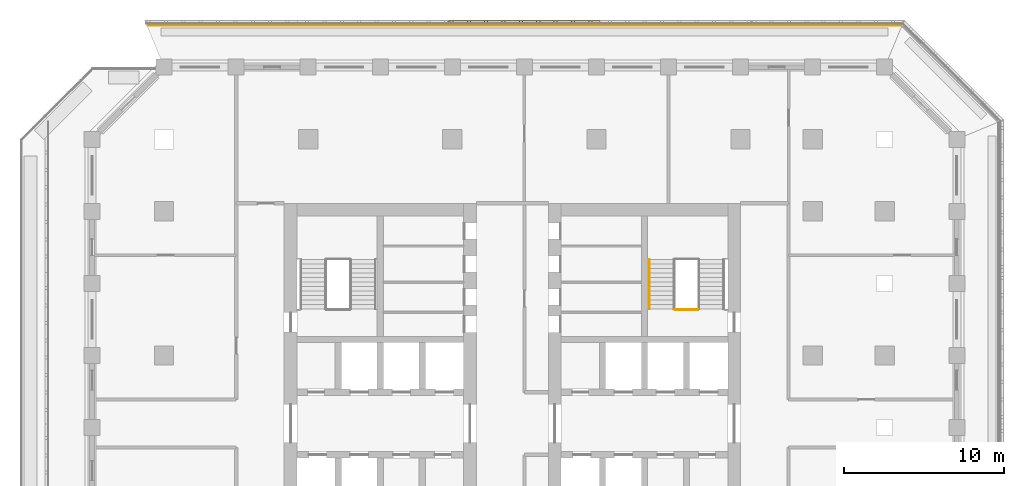
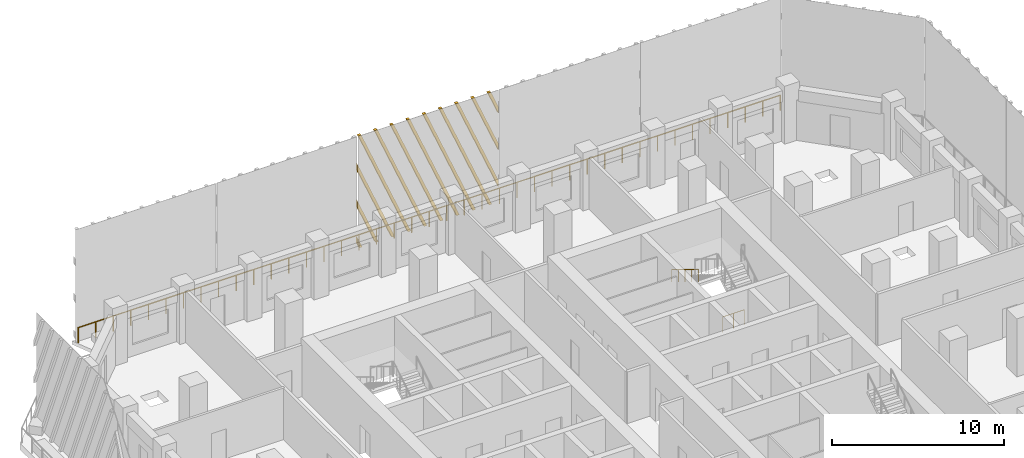
# One storey, part 14 of 16: 3 railings, 1 shading device.
"""IFC4 building model written with IfcOpenShell, lengths in metres."""

import ifcopenshell
import ifcopenshell.guid

model = None  # the IFC model being written
_history = None  # IfcOwnerHistory: only IFC2X3 demands one
_inside = {}  # id of a spatial element -> (the spatial element, [elements in it])
_under = {}  # id of a project, library or spatial element -> (it, [spatial elements below it])
_declared = {}  # id of a project -> (the project, [libraries it declares])
_typed = {}  # id of a type object -> (the type object, [elements of that type])
_made_of = {}  # id of a material, layer set ... -> (it, [elements and type objects made of it])


def new_model(schema):
    """Start an empty IFC model of exactly this schema.

    Asked for "IFC4X3", IfcOpenShell would pick the latest addendum, in which some entities
    have other attributes; the version numbers below select the first issue.
    IFC2X3 requires an IfcOwnerHistory on every rooted entity: one is made here for all.
    """
    global model, _history
    if schema == "IFC4X3":
        model = ifcopenshell.file(schema_version=(4, 3, 0, 0))
    else:
        model = ifcopenshell.file(schema=schema)
    _inside.clear()
    _under.clear()
    _declared.clear()
    _typed.clear()
    _made_of.clear()
    _history = None
    if model.schema == "IFC2X3":
        org = make("IfcOrganization", Name="unknown")
        user = make(
            "IfcPersonAndOrganization",
            ThePerson=make("IfcPerson", FamilyName="unknown"),
            TheOrganization=org,
        )
        app = make(
            "IfcApplication",
            ApplicationDeveloper=org,
            Version="unknown",
            ApplicationFullName="unknown",
            ApplicationIdentifier="unknown",
        )
        _history = make(
            "IfcOwnerHistory",
            OwningUser=user,
            OwningApplication=app,
            ChangeAction="ADDED",
            CreationDate=0,
        )
    return model


def make(cls, **values):
    """One entity of the class cls with the attributes given. An attribute that is None is left unset."""
    return model.create_entity(
        cls, **{name: value for name, value in values.items() if value is not None}
    )


def rooted(cls, **values):
    """An entity with a GlobalId (a new one), such as an element, a storey or a relation."""
    return make(cls, GlobalId=ifcopenshell.guid.new(), OwnerHistory=_history, **values)


def si_unit(unit_type, name, prefix=None):
    """IfcSIUnit, for example si_unit("LENGTHUNIT", "METRE", prefix="MILLI")."""
    return make("IfcSIUnit", UnitType=unit_type, Prefix=prefix, Name=name)


def assignment(units):
    """IfcUnitAssignment: the units of a project."""
    return None if units is None else make("IfcUnitAssignment", Units=units)


def point(xyz):
    """IfcCartesianPoint."""
    return None if xyz is None else make("IfcCartesianPoint", Coordinates=xyz)


def direction(xyz):
    """IfcDirection."""
    return None if xyz is None else make("IfcDirection", DirectionRatios=xyz)


def frame(location, z_axis=None, x_axis=None):
    """IfcAxis2Placement3D, a coordinate frame: its origin and axes. An axis left out is left unset."""
    return make(
        "IfcAxis2Placement3D",
        Location=point(location),
        Axis=direction(z_axis),
        RefDirection=direction(x_axis),
    )


def frame_2d(location, x_axis=None):
    """IfcAxis2Placement2D, a coordinate frame in the plane: its origin and x axis."""
    return make(
        "IfcAxis2Placement2D", Location=point(location), RefDirection=direction(x_axis)
    )


def origin():
    """The frame at (0, 0, 0) with its axes left unset."""
    return frame((0.0, 0.0, 0.0))


def origin_2d():
    """The frame at (0, 0) in the plane with its x axis left unset."""
    return frame_2d((0.0, 0.0))


def place(relative_to, where):
    """IfcLocalPlacement: puts the frame where relative to a parent placement (None: the world)."""
    return make(
        "IfcLocalPlacement", PlacementRelTo=relative_to, RelativePlacement=where
    )


def context(
    kind, dimensions, precision=None, world=None, true_north=None, identifier=None
):
    """IfcGeometricRepresentationContext, for example the 3D "Model" context."""
    return make(
        "IfcGeometricRepresentationContext",
        ContextIdentifier=identifier,
        ContextType=kind,
        CoordinateSpaceDimension=dimensions,
        Precision=precision,
        WorldCoordinateSystem=world,
        TrueNorth=true_north,
    )


def subcontext(parent, identifier, kind, view, scale=None):
    """IfcGeometricRepresentationSubContext, for example "Body" below "Model"."""
    return make(
        "IfcGeometricRepresentationSubContext",
        ContextIdentifier=identifier,
        ContextType=kind,
        ParentContext=parent,
        TargetScale=scale,
        TargetView=view,
    )


def project(units=None, contexts=None):
    """IfcProject with its units and contexts."""
    return rooted(
        "IfcProject",
        Name="project",
        RepresentationContexts=contexts,
        UnitsInContext=assignment(units),
    )


def spatial(cls, under=None, at=None, **own):
    """A site, building, storey or space (cls), placed at a placement, below another one or the project."""
    s = rooted(cls, ObjectPlacement=at, **own)
    if under is not None:
        _under.setdefault(under.id(), (under, []))[1].append(s)
    return s


def polyline(points):
    """IfcPolyline through the points."""
    return make("IfcPolyline", Points=[point(p) for p in points])


def profile(cls, at=None, kind="AREA", **sizes):
    """A parametric profile (cls). Its sizes go by their IFC names, for example OverallWidth=200.0."""
    return make(cls, ProfileType=kind, Position=at, **sizes)


def circle(**sizes):
    """IfcCircleProfileDef."""
    return profile("IfcCircleProfileDef", **sizes)


def outline(outer, holes=None, kind="AREA"):
    """IfcArbitraryClosedProfileDef: a profile drawn as a closed curve; with holes, ...WithVoids."""
    if holes is None:
        return make("IfcArbitraryClosedProfileDef", ProfileType=kind, OuterCurve=outer)
    return make(
        "IfcArbitraryProfileDefWithVoids",
        ProfileType=kind,
        OuterCurve=outer,
        InnerCurves=holes,
    )


def extrude(swept, where, along, depth):
    """IfcExtrudedAreaSolid: the profile swept, set in the frame where, extruded along a direction by depth."""
    return make(
        "IfcExtrudedAreaSolid",
        SweptArea=swept,
        Position=where,
        ExtrudedDirection=direction(along),
        Depth=depth,
    )


def shape(context_of_items, identifier, shape_type, items):
    """IfcShapeRepresentation: the items that make up one representation, for example the "Body"."""
    return make(
        "IfcShapeRepresentation",
        ContextOfItems=context_of_items,
        RepresentationIdentifier=identifier,
        RepresentationType=shape_type,
        Items=items,
    )


def source(mapping_origin, context_of_items, identifier, shape_type, items):
    """IfcRepresentationMap: a shape defined once, which mapped items show again and again."""
    return make(
        "IfcRepresentationMap",
        MappingOrigin=mapping_origin,
        MappedRepresentation=shape(context_of_items, identifier, shape_type, items),
    )


def transform(
    local_origin,
    x_axis=None,
    y_axis=None,
    z_axis=None,
    scale=None,
    scale2=None,
    scale3=None,
    uniform=True,
):
    """IfcCartesianTransformationOperator3D, or its non-uniform kind. x_axis, y_axis, z_axis: its Axis1, 2, 3."""
    if uniform:
        return make(
            "IfcCartesianTransformationOperator3D",
            Axis1=direction(x_axis),
            Axis2=direction(y_axis),
            LocalOrigin=point(local_origin),
            Scale=scale,
            Axis3=direction(z_axis),
        )
    return make(
        "IfcCartesianTransformationOperator3DnonUniform",
        Axis1=direction(x_axis),
        Axis2=direction(y_axis),
        LocalOrigin=point(local_origin),
        Scale=scale,
        Axis3=direction(z_axis),
        Scale2=scale2,
        Scale3=scale3,
    )


def mapped(mapping_source, mapping_target):
    """IfcMappedItem: shows the shape of a source again, moved by a transform."""
    return make(
        "IfcMappedItem", MappingSource=mapping_source, MappingTarget=mapping_target
    )


def material(Name=None, Category=None):
    """IfcMaterial."""
    return make("IfcMaterial", Name=Name, Category=Category)


def made_of(thing, what):
    """Note that an element or type object is made of a material, layer set ...; save() writes the relation."""
    if what is not None:
        _made_of.setdefault(what.id(), (what, []))[1].append(thing)
    return thing


def type_object(cls, material=None, **own):
    """A type object (cls), such as IfcWallType, which elements share."""
    return made_of(rooted(cls, **own), material)


def element(
    cls,
    number,
    at=None,
    inside=None,
    cuts=None,
    type_object=None,
    material=None,
    context=None,
    identifier="Body",
    shape_type=None,
    held_by="IfcProductDefinitionShape",
    body=None,
    shapes=None,
    **own,
):
    """One element of the class cls, such as IfcWall. Its Tag is "e" and its number.

    at: its placement. inside: the storey or other place that contains it. cuts: it is an
    opening in that element (IfcRelVoidsElement). A single representation is given by context,
    identifier, shape_type and body (its items); several are given by shapes. held_by: the class
    of the entity that holds the representations. save() writes the other relations.
    """
    e = rooted(cls, Tag="e%d" % number, ObjectPlacement=at, **own)
    if body is not None:
        shapes = [shape(context, identifier, shape_type, body)]
    if shapes is not None:
        e.Representation = make(held_by, Representations=shapes)
    if inside is not None:
        _inside.setdefault(inside.id(), (inside, []))[1].append(e)
    if cuts is not None:
        rooted(
            "IfcRelVoidsElement", RelatingBuildingElement=cuts, RelatedOpeningElement=e
        )
    if type_object is not None:
        _typed.setdefault(type_object.id(), (type_object, []))[1].append(e)
    return made_of(e, material)


def aggregate(whole, parts):
    """IfcRelAggregates: a whole, such as a stair, and the parts it consists of."""
    return rooted("IfcRelAggregates", RelatingObject=whole, RelatedObjects=parts)


def save(model, path):
    """Write the relations noted so far, then the file.

    IfcRelAggregates (storeys below a building ...), IfcRelContainedInSpatialStructure (elements
    in a storey), IfcRelDefinesByType, IfcRelAssociatesMaterial and IfcRelDeclares: one each for
    every whole, place, type object, material and project.
    """
    for whole, parts in _under.values():
        aggregate(whole, parts)
    for where, things in _inside.values():
        rooted(
            "IfcRelContainedInSpatialStructure",
            RelatedElements=things,
            RelatingStructure=where,
        )
    for kind, things in _typed.values():
        rooted("IfcRelDefinesByType", RelatedObjects=things, RelatingType=kind)
    for what, things in _made_of.values():
        rooted("IfcRelAssociatesMaterial", RelatedObjects=things, RelatingMaterial=what)
    for by, libraries in _declared.values():
        rooted("IfcRelDeclares", RelatingContext=by, RelatedDefinitions=libraries)
    model.write(path)


model = new_model("IFC4")

# Units and contexts
model_context = context("Model", 3, precision=1e-05, world=origin(), true_north=direction((0.0, 1.0)))
body_context = subcontext(model_context, "Body", "Model", "MODEL_VIEW")
ifc_project = project(units=[si_unit("LENGTHUNIT", "METRE"), si_unit("AREAUNIT", "SQUARE_METRE"), si_unit("VOLUMEUNIT", "CUBIC_METRE"), si_unit("PLANEANGLEUNIT", "RADIAN"), si_unit("MASSUNIT", "GRAM", prefix="KILO")], contexts=[model_context])

# Site, building, storey
site_placement = place(None, origin())
site = spatial("IfcSite", under=ifc_project, at=site_placement, CompositionType="ELEMENT")
building_placement = place(site_placement, origin())
building = spatial("IfcBuilding", under=site, at=building_placement, Name="Corbel Stack Research Tower", CompositionType="ELEMENT")
storey_placement = place(building_placement, frame((0.0, 0.0, 191.5)))
storey = spatial("IfcBuildingStorey", under=building, at=storey_placement, Name="L43", CompositionType="ELEMENT", Elevation=191.5)

# Railings
ifc_material_1 = material(Name="Steel S355", Category="steel")
railing_type_1 = type_object("IfcRailingType", Name="Stair guard 1100", PredefinedType="GUARDRAIL", material=ifc_material_1)
railing_1_placement = place(storey_placement, frame((15.35009765625, 11.85009765625, 0.0)))
element("IfcRailing", 1, at=railing_1_placement, inside=storey, type_object=railing_type_1, Name="L43 ST-E2 stair guard 5", PredefinedType="GUARDRAIL", context=body_context, shape_type="SweptSolid", body=[
    extrude(circle(Radius=0.02392578125, at=origin_2d()), frame((0.0, 0.0, 1.076171875), z_axis=(-1.0, 0.0, 0.0), x_axis=(0.0, -1.0, 0.0)), (0.0, 0.0, 1.0), 1.4501953125),
    extrude(circle(Radius=0.02099609375, at=origin_2d()), origin(), (0.0, 0.0, 1.0), 1.052001953125),
    extrude(circle(Radius=0.02099609375, at=origin_2d()), frame((-0.72509765625, 0.0, 0.0)), (0.0, 0.0, 1.0), 1.052001953125),
    extrude(circle(Radius=0.02099609375, at=origin_2d()), frame((-1.4501953125, 0.0, 0.0)), (0.0, 0.0, 1.0), 1.052001953125),
])
ifc_material_2 = material(Name="Steel S355", Category="steel")
railing_type_2 = type_object("IfcRailingType", Name="Stair handrail 900", PredefinedType="HANDRAIL", material=ifc_material_2)
railing_2_placement = place(storey_placement, frame((12.300048828125, 14.97998046875, 2.220947265625)))
element("IfcRailing", 2, at=railing_2_placement, inside=storey, type_object=railing_type_2, Name="L43 ST-E2 stair handrail 2", PredefinedType="HANDRAIL", context=body_context, shape_type="SweptSolid", body=[
    extrude(circle(Radius=0.02392578125, at=origin_2d()), frame((0.0, 0.0, 0.8759765625), z_axis=(0.0, -0.853666305674, 0.52082035152), x_axis=(1.0, 0.0, 0.0)), (0.0, 0.0, 1.0), 3.608154296875),
    extrude(circle(Radius=0.02099609375, at=origin_2d()), origin(), (0.0, 0.0, 1.0), 0.851806640625),
    extrude(circle(Radius=0.02099609375, at=origin_2d()), frame((0.0, -0.77001953125, 0.4697265625)), (0.0, 0.0, 1.0), 0.851806640625),
    extrude(circle(Radius=0.02099609375, at=origin_2d()), frame((0.0, -1.5400390625, 0.939453125)), (0.0, 0.0, 1.0), 0.851806640625),
    extrude(circle(Radius=0.02099609375, at=origin_2d()), frame((0.0, -2.31005859375, 1.409423828125)), (0.0, 0.0, 1.0), 0.851806640625),
    extrude(circle(Radius=0.02099609375, at=origin_2d()), frame((0.0, -3.080078125, 1.879150390625)), (0.0, 0.0, 1.0), 0.851806640625),
])
ifc_material_3 = material(Name="Powder-coated steel guard", Category="steel")
railing_type_3 = type_object("IfcRailingType", Name="Steel and glass guard 1100", PredefinedType="GUARDRAIL", material=ifc_material_3)
railing_3_placement = place(storey_placement, frame((28.00537109375, 29.60009765625, 0.0)))
element("IfcRailing", 3, at=railing_3_placement, inside=storey, type_object=railing_type_3, Name="Loggia guard L43 N", PredefinedType="GUARDRAIL", context=body_context, shape_type="SweptSolid", body=[
    extrude(circle(Radius=0.02392578125, at=origin_2d()), frame((0.0, 0.0, 1.076171875), z_axis=(-1.0, 0.0, 0.0), x_axis=(0.0, -1.0, 0.0)), (0.0, 0.0, 1.0), 47.0107421875),
    extrude(circle(Radius=0.02099609375, at=origin_2d()), origin(), (0.0, 0.0, 1.0), 1.052001953125),
    extrude(circle(Radius=0.02099609375, at=origin_2d()), frame((-1.17529296875, 0.0, 0.0)), (0.0, 0.0, 1.0), 1.052001953125),
    extrude(circle(Radius=0.02099609375, at=origin_2d()), frame((-2.3505859375, 0.0, 0.0)), (0.0, 0.0, 1.0), 1.052001953125),
    extrude(circle(Radius=0.02099609375, at=origin_2d()), frame((-3.52587890625, 0.0, 0.0)), (0.0, 0.0, 1.0), 1.052001953125),
    extrude(circle(Radius=0.02099609375, at=origin_2d()), frame((-4.701171875, 0.0, 0.0)), (0.0, 0.0, 1.0), 1.052001953125),
    extrude(circle(Radius=0.02099609375, at=origin_2d()), frame((-5.87646484375, 0.0, 0.0)), (0.0, 0.0, 1.0), 1.052001953125),
    extrude(circle(Radius=0.02099609375, at=origin_2d()), frame((-7.051513671875, 0.0, 0.0)), (0.0, 0.0, 1.0), 1.052001953125),
    extrude(circle(Radius=0.02099609375, at=origin_2d()), frame((-8.226806640625, 0.0, 0.0)), (0.0, 0.0, 1.0), 1.052001953125),
    extrude(circle(Radius=0.02099609375, at=origin_2d()), frame((-9.402099609375, 0.0, 0.0)), (0.0, 0.0, 1.0), 1.052001953125),
    extrude(circle(Radius=0.02099609375, at=origin_2d()), frame((-10.577392578125, 0.0, 0.0)), (0.0, 0.0, 1.0), 1.052001953125),
    extrude(circle(Radius=0.02099609375, at=origin_2d()), frame((-11.752685546875, 0.0, 0.0)), (0.0, 0.0, 1.0), 1.052001953125),
    extrude(circle(Radius=0.02099609375, at=origin_2d()), frame((-12.927978515625, 0.0, 0.0)), (0.0, 0.0, 1.0), 1.052001953125),
    extrude(circle(Radius=0.02099609375, at=origin_2d()), frame((-14.103271484375, 0.0, 0.0)), (0.0, 0.0, 1.0), 1.052001953125),
    extrude(circle(Radius=0.02099609375, at=origin_2d()), frame((-15.278564453125, 0.0, 0.0)), (0.0, 0.0, 1.0), 1.052001953125),
    extrude(circle(Radius=0.02099609375, at=origin_2d()), frame((-16.453857421875, 0.0, 0.0)), (0.0, 0.0, 1.0), 1.052001953125),
    extrude(circle(Radius=0.02099609375, at=origin_2d()), frame((-17.62890625, 0.0, 0.0)), (0.0, 0.0, 1.0), 1.052001953125),
    extrude(circle(Radius=0.02099609375, at=origin_2d()), frame((-18.80419921875, 0.0, 0.0)), (0.0, 0.0, 1.0), 1.052001953125),
    extrude(circle(Radius=0.02099609375, at=origin_2d()), frame((-19.9794921875, 0.0, 0.0)), (0.0, 0.0, 1.0), 1.052001953125),
    extrude(circle(Radius=0.02099609375, at=origin_2d()), frame((-21.15478515625, 0.0, 0.0)), (0.0, 0.0, 1.0), 1.052001953125),
    extrude(circle(Radius=0.02099609375, at=origin_2d()), frame((-22.330078125, 0.0, 0.0)), (0.0, 0.0, 1.0), 1.052001953125),
    extrude(circle(Radius=0.02099609375, at=origin_2d()), frame((-23.50537109375, 0.0, 0.0)), (0.0, 0.0, 1.0), 1.052001953125),
    extrude(circle(Radius=0.02099609375, at=origin_2d()), frame((-24.6806640625, 0.0, 0.0)), (0.0, 0.0, 1.0), 1.052001953125),
    extrude(circle(Radius=0.02099609375, at=origin_2d()), frame((-25.85595703125, 0.0, 0.0)), (0.0, 0.0, 1.0), 1.052001953125),
    extrude(circle(Radius=0.02099609375, at=origin_2d()), frame((-27.03125, 0.0, 0.0)), (0.0, 0.0, 1.0), 1.052001953125),
    extrude(circle(Radius=0.02099609375, at=origin_2d()), frame((-28.20654296875, 0.0, 0.0)), (0.0, 0.0, 1.0), 1.052001953125),
    extrude(circle(Radius=0.02099609375, at=origin_2d()), frame((-29.3818359375, 0.0, 0.0)), (0.0, 0.0, 1.0), 1.052001953125),
    extrude(circle(Radius=0.02099609375, at=origin_2d()), frame((-30.556884765625, 0.0, 0.0)), (0.0, 0.0, 1.0), 1.052001953125),
    extrude(circle(Radius=0.02099609375, at=origin_2d()), frame((-31.732177734375, 0.0, 0.0)), (0.0, 0.0, 1.0), 1.052001953125),
    extrude(circle(Radius=0.02099609375, at=origin_2d()), frame((-32.907470703125, 0.0, 0.0)), (0.0, 0.0, 1.0), 1.052001953125),
    extrude(circle(Radius=0.02099609375, at=origin_2d()), frame((-34.082763671875, 0.0, 0.0)), (0.0, 0.0, 1.0), 1.052001953125),
    extrude(circle(Radius=0.02099609375, at=origin_2d()), frame((-35.258056640625, 0.0, 0.0)), (0.0, 0.0, 1.0), 1.052001953125),
    extrude(circle(Radius=0.02099609375, at=origin_2d()), frame((-36.433349609375, 0.0, 0.0)), (0.0, 0.0, 1.0), 1.052001953125),
    extrude(circle(Radius=0.02099609375, at=origin_2d()), frame((-37.608642578125, 0.0, 0.0)), (0.0, 0.0, 1.0), 1.052001953125),
    extrude(circle(Radius=0.02099609375, at=origin_2d()), frame((-38.783935546875, 0.0, 0.0)), (0.0, 0.0, 1.0), 1.052001953125),
    extrude(circle(Radius=0.02099609375, at=origin_2d()), frame((-39.959228515625, 0.0, 0.0)), (0.0, 0.0, 1.0), 1.052001953125),
    extrude(circle(Radius=0.02099609375, at=origin_2d()), frame((-41.13427734375, 0.0, 0.0)), (0.0, 0.0, 1.0), 1.052001953125),
    extrude(circle(Radius=0.02099609375, at=origin_2d()), frame((-42.3095703125, 0.0, 0.0)), (0.0, 0.0, 1.0), 1.052001953125),
    extrude(circle(Radius=0.02099609375, at=origin_2d()), frame((-43.48486328125, 0.0, 0.0)), (0.0, 0.0, 1.0), 1.052001953125),
    extrude(circle(Radius=0.02099609375, at=origin_2d()), frame((-44.66015625, 0.0, 0.0)), (0.0, 0.0, 1.0), 1.052001953125),
    extrude(circle(Radius=0.02099609375, at=origin_2d()), frame((-45.83544921875, 0.0, 0.0)), (0.0, 0.0, 1.0), 1.052001953125),
    extrude(circle(Radius=0.02099609375, at=origin_2d()), frame((-47.0107421875, 0.0, 0.0)), (0.0, 0.0, 1.0), 1.052001953125),
])

# Shading device
ifc_material_4 = material(Name="Precast terracotta", Category="masonry")
shading_device_type = type_object("IfcShadingDeviceType", Name="Terracotta screen panel", PredefinedType="USERDEFINED", material=ifc_material_4)
shared_shape = source(origin(), body_context, "Body", "SweptSolid", [
    extrude(outline(polyline([(0.70361328125, 7.949951171875), (0.513427734375, 7.949951171875), (0.0, 6.720458984375), (0.0, 6.265380859375), (0.70361328125, 7.949951171875)])), frame((0.0, 0.0, 0.0), z_axis=(0.0, -1.0, 0.0), x_axis=(1.0, 0.0, 0.0)), (0.0, 0.0, 1.0), 0.179931640625),
    extrude(outline(polyline([(1.7880859375, 7.949951171875), (1.59814453125, 7.949951171875), (0.0, 4.123291015625), (0.0, 3.668212890625), (1.7880859375, 7.949951171875)])), frame((0.0, 0.0, 0.0), z_axis=(0.0, -1.0, 0.0), x_axis=(1.0, 0.0, 0.0)), (0.0, 0.0, 1.0), 0.179931640625),
    extrude(outline(polyline([(2.872802734375, 7.949951171875), (2.682861328125, 7.949951171875), (0.0, 1.526123046875), (0.0, 1.071044921875), (2.872802734375, 7.949951171875)])), frame((0.0, 0.0, 0.0), z_axis=(0.0, -1.0, 0.0), x_axis=(1.0, 0.0, 0.0)), (0.0, 0.0, 1.0), 0.179931640625),
    extrude(outline(polyline([(0.63720703125, 0.0), (3.95751953125, 7.949951171875), (3.767578125, 7.949951171875), (0.447265625, 0.0), (0.63720703125, 0.0)])), frame((0.0, 0.0, 0.0), z_axis=(0.0, -1.0, 0.0), x_axis=(1.0, 0.0, 0.0)), (0.0, 0.0, 1.0), 0.179931640625),
    extrude(outline(polyline([(1.721923828125, 0.0), (5.042236328125, 7.949951171875), (4.852294921875, 7.949951171875), (1.531982421875, 0.0), (1.721923828125, 0.0)])), frame((0.0, 0.0, 0.0), z_axis=(0.0, -1.0, 0.0), x_axis=(1.0, 0.0, 0.0)), (0.0, 0.0, 1.0), 0.179931640625),
    extrude(outline(polyline([(2.806640625, 0.0), (6.126708984375, 7.949951171875), (5.936767578125, 7.949951171875), (2.61669921875, 0.0), (2.806640625, 0.0)])), frame((0.0, 0.0, 0.0), z_axis=(0.0, -1.0, 0.0), x_axis=(1.0, 0.0, 0.0)), (0.0, 0.0, 1.0), 0.179931640625),
    extrude(outline(polyline([(3.891357421875, 0.0), (7.21142578125, 7.949951171875), (7.021484375, 7.949951171875), (3.701416015625, 0.0), (3.891357421875, 0.0)])), frame((0.0, 0.0, 0.0), z_axis=(0.0, -1.0, 0.0), x_axis=(1.0, 0.0, 0.0)), (0.0, 0.0, 1.0), 0.179931640625),
    extrude(outline(polyline([(4.97607421875, 0.0), (8.296142578125, 7.949951171875), (8.106201171875, 7.949951171875), (4.785888671875, 0.0), (4.97607421875, 0.0)])), frame((0.0, 0.0, 0.0), z_axis=(0.0, -1.0, 0.0), x_axis=(1.0, 0.0, 0.0)), (0.0, 0.0, 1.0), 0.179931640625),
    extrude(outline(polyline([(6.060791015625, 0.0), (9.380859375, 7.949951171875), (9.19091796875, 7.949951171875), (5.87060546875, 0.0), (6.060791015625, 0.0)])), frame((0.0, 0.0, 0.0), z_axis=(0.0, -1.0, 0.0), x_axis=(1.0, 0.0, 0.0)), (0.0, 0.0, 1.0), 0.179931640625),
    extrude(outline(polyline([(7.145263671875, 0.0), (9.45556640625, 5.531982421875), (9.45556640625, 5.98681640625), (6.955322265625, 0.0), (7.145263671875, 0.0)])), frame((0.0, 0.0, 0.0), z_axis=(0.0, -1.0, 0.0), x_axis=(1.0, 0.0, 0.0)), (0.0, 0.0, 1.0), 0.179931640625),
    extrude(outline(polyline([(8.22998046875, 0.0), (9.45556640625, 2.934814453125), (9.45556640625, 3.3896484375), (8.0400390625, 0.0), (8.22998046875, 0.0)])), frame((0.0, 0.0, 0.0), z_axis=(0.0, -1.0, 0.0), x_axis=(1.0, 0.0, 0.0)), (0.0, 0.0, 1.0), 0.179931640625),
    extrude(outline(polyline([(9.314697265625, 0.0), (9.45556640625, 0.337646484375), (9.45556640625, 0.79248046875), (9.124755859375, 0.0), (9.314697265625, 0.0)])), frame((0.0, 0.0, 0.0), z_axis=(0.0, -1.0, 0.0), x_axis=(1.0, 0.0, 0.0)), (0.0, 0.0, 1.0), 0.179931640625),
])
shading_device_placement = place(storey_placement, frame((9.227783203125, 29.75, 0.0), z_axis=(0.0, 0.0, 1.0), x_axis=(-1.0, 0.0, 0.0)))
element("IfcShadingDevice", 4, at=shading_device_placement, inside=storey, type_object=shading_device_type, Name="Terracotta screen L43 N3", ObjectType="SCREEN", PredefinedType="USERDEFINED", context=body_context, shape_type="MappedRepresentation", body=[
    mapped(shared_shape, transform((0.0, 0.0, 0.0))),
])

save(model, "model.ifc")
